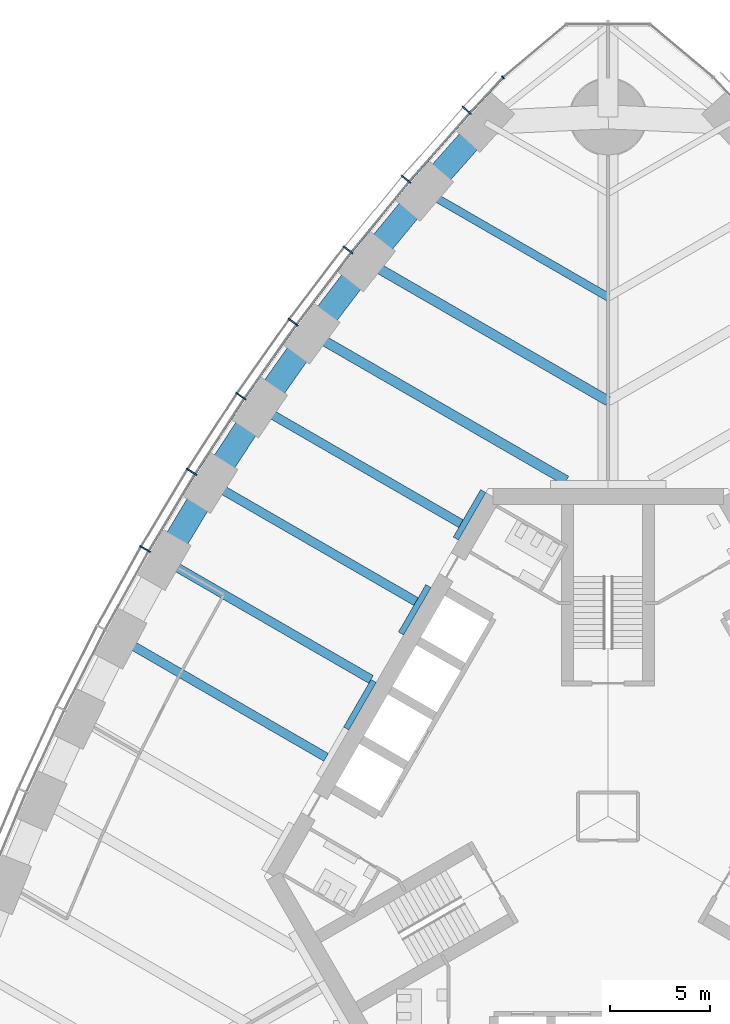
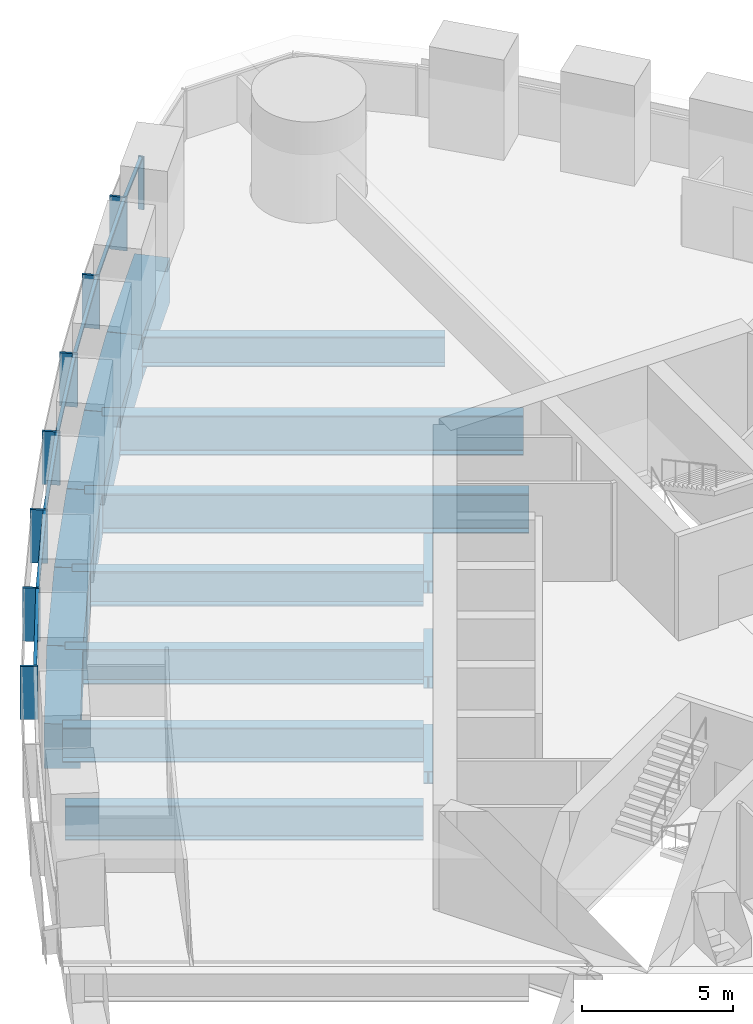
# One storey, part 4 of 18: 16 beams, 15 members, 2 elements without a shape of their own.
"""IFC4 building model written with IfcOpenShell, lengths in metres."""

import ifcopenshell
import ifcopenshell.guid

model = None  # the IFC model being written
_history = None  # IfcOwnerHistory: only IFC2X3 demands one
_inside = {}  # id of a spatial element -> (the spatial element, [elements in it])
_under = {}  # id of a project, library or spatial element -> (it, [spatial elements below it])
_declared = {}  # id of a project -> (the project, [libraries it declares])
_typed = {}  # id of a type object -> (the type object, [elements of that type])
_made_of = {}  # id of a material, layer set ... -> (it, [elements and type objects made of it])


def new_model(schema):
    """Start an empty IFC model of exactly this schema.

    Asked for "IFC4X3", IfcOpenShell would pick the latest addendum, in which some entities
    have other attributes; the version numbers below select the first issue.
    IFC2X3 requires an IfcOwnerHistory on every rooted entity: one is made here for all.
    """
    global model, _history
    if schema == "IFC4X3":
        model = ifcopenshell.file(schema_version=(4, 3, 0, 0))
    else:
        model = ifcopenshell.file(schema=schema)
    _inside.clear()
    _under.clear()
    _declared.clear()
    _typed.clear()
    _made_of.clear()
    _history = None
    if model.schema == "IFC2X3":
        org = make("IfcOrganization", Name="unknown")
        user = make(
            "IfcPersonAndOrganization",
            ThePerson=make("IfcPerson", FamilyName="unknown"),
            TheOrganization=org,
        )
        app = make(
            "IfcApplication",
            ApplicationDeveloper=org,
            Version="unknown",
            ApplicationFullName="unknown",
            ApplicationIdentifier="unknown",
        )
        _history = make(
            "IfcOwnerHistory",
            OwningUser=user,
            OwningApplication=app,
            ChangeAction="ADDED",
            CreationDate=0,
        )
    return model


def make(cls, **values):
    """One entity of the class cls with the attributes given. An attribute that is None is left unset."""
    return model.create_entity(
        cls, **{name: value for name, value in values.items() if value is not None}
    )


def rooted(cls, **values):
    """An entity with a GlobalId (a new one), such as an element, a storey or a relation."""
    return make(cls, GlobalId=ifcopenshell.guid.new(), OwnerHistory=_history, **values)


def si_unit(unit_type, name, prefix=None):
    """IfcSIUnit, for example si_unit("LENGTHUNIT", "METRE", prefix="MILLI")."""
    return make("IfcSIUnit", UnitType=unit_type, Prefix=prefix, Name=name)


def assignment(units):
    """IfcUnitAssignment: the units of a project."""
    return None if units is None else make("IfcUnitAssignment", Units=units)


def point(xyz):
    """IfcCartesianPoint."""
    return None if xyz is None else make("IfcCartesianPoint", Coordinates=xyz)


def direction(xyz):
    """IfcDirection."""
    return None if xyz is None else make("IfcDirection", DirectionRatios=xyz)


def frame(location, z_axis=None, x_axis=None):
    """IfcAxis2Placement3D, a coordinate frame: its origin and axes. An axis left out is left unset."""
    return make(
        "IfcAxis2Placement3D",
        Location=point(location),
        Axis=direction(z_axis),
        RefDirection=direction(x_axis),
    )


def frame_2d(location, x_axis=None):
    """IfcAxis2Placement2D, a coordinate frame in the plane: its origin and x axis."""
    return make(
        "IfcAxis2Placement2D", Location=point(location), RefDirection=direction(x_axis)
    )


def origin():
    """The frame at (0, 0, 0) with its axes left unset."""
    return frame((0.0, 0.0, 0.0))


def origin_2d():
    """The frame at (0, 0) in the plane with its x axis left unset."""
    return frame_2d((0.0, 0.0))


def place(relative_to, where):
    """IfcLocalPlacement: puts the frame where relative to a parent placement (None: the world)."""
    return make(
        "IfcLocalPlacement", PlacementRelTo=relative_to, RelativePlacement=where
    )


def context(
    kind, dimensions, precision=None, world=None, true_north=None, identifier=None
):
    """IfcGeometricRepresentationContext, for example the 3D "Model" context."""
    return make(
        "IfcGeometricRepresentationContext",
        ContextIdentifier=identifier,
        ContextType=kind,
        CoordinateSpaceDimension=dimensions,
        Precision=precision,
        WorldCoordinateSystem=world,
        TrueNorth=true_north,
    )


def subcontext(parent, identifier, kind, view, scale=None):
    """IfcGeometricRepresentationSubContext, for example "Body" below "Model"."""
    return make(
        "IfcGeometricRepresentationSubContext",
        ContextIdentifier=identifier,
        ContextType=kind,
        ParentContext=parent,
        TargetScale=scale,
        TargetView=view,
    )


def project(units=None, contexts=None):
    """IfcProject with its units and contexts."""
    return rooted(
        "IfcProject",
        Name="project",
        RepresentationContexts=contexts,
        UnitsInContext=assignment(units),
    )


def spatial(cls, under=None, at=None, **own):
    """A site, building, storey or space (cls), placed at a placement, below another one or the project."""
    s = rooted(cls, ObjectPlacement=at, **own)
    if under is not None:
        _under.setdefault(under.id(), (under, []))[1].append(s)
    return s


def profile(cls, at=None, kind="AREA", **sizes):
    """A parametric profile (cls). Its sizes go by their IFC names, for example OverallWidth=200.0."""
    return make(cls, ProfileType=kind, Position=at, **sizes)


def rectangle(**sizes):
    """IfcRectangleProfileDef."""
    return profile("IfcRectangleProfileDef", **sizes)


def i_section(**sizes):
    """IfcIShapeProfileDef."""
    return profile("IfcIShapeProfileDef", **sizes)


def extrude(swept, where, along, depth):
    """IfcExtrudedAreaSolid: the profile swept, set in the frame where, extruded along a direction by depth."""
    return make(
        "IfcExtrudedAreaSolid",
        SweptArea=swept,
        Position=where,
        ExtrudedDirection=direction(along),
        Depth=depth,
    )


def shape(context_of_items, identifier, shape_type, items):
    """IfcShapeRepresentation: the items that make up one representation, for example the "Body"."""
    return make(
        "IfcShapeRepresentation",
        ContextOfItems=context_of_items,
        RepresentationIdentifier=identifier,
        RepresentationType=shape_type,
        Items=items,
    )


def material(Name=None, Category=None):
    """IfcMaterial."""
    return make("IfcMaterial", Name=Name, Category=Category)


def material_profile(
    of_material, cross_section, Name=None, Category=None, Priority=None
):
    """IfcMaterialProfile: a cross section and its material."""
    return make(
        "IfcMaterialProfile",
        Name=Name,
        Material=of_material,
        Profile=cross_section,
        Priority=Priority,
        Category=Category,
    )


def profile_set(profiles, Name=None, composite=None):
    """IfcMaterialProfileSet."""
    return make(
        "IfcMaterialProfileSet",
        Name=Name,
        MaterialProfiles=profiles,
        CompositeProfile=composite,
    )


def made_of(thing, what):
    """Note that an element or type object is made of a material, layer set ...; save() writes the relation."""
    if what is not None:
        _made_of.setdefault(what.id(), (what, []))[1].append(thing)
    return thing


def type_object(cls, material=None, **own):
    """A type object (cls), such as IfcWallType, which elements share."""
    return made_of(rooted(cls, **own), material)


def element(
    cls,
    number,
    at=None,
    inside=None,
    cuts=None,
    type_object=None,
    material=None,
    context=None,
    identifier="Body",
    shape_type=None,
    held_by="IfcProductDefinitionShape",
    body=None,
    shapes=None,
    **own,
):
    """One element of the class cls, such as IfcWall. Its Tag is "e" and its number.

    at: its placement. inside: the storey or other place that contains it. cuts: it is an
    opening in that element (IfcRelVoidsElement). A single representation is given by context,
    identifier, shape_type and body (its items); several are given by shapes. held_by: the class
    of the entity that holds the representations. save() writes the other relations.
    """
    e = rooted(cls, Tag="e%d" % number, ObjectPlacement=at, **own)
    if body is not None:
        shapes = [shape(context, identifier, shape_type, body)]
    if shapes is not None:
        e.Representation = make(held_by, Representations=shapes)
    if inside is not None:
        _inside.setdefault(inside.id(), (inside, []))[1].append(e)
    if cuts is not None:
        rooted(
            "IfcRelVoidsElement", RelatingBuildingElement=cuts, RelatedOpeningElement=e
        )
    if type_object is not None:
        _typed.setdefault(type_object.id(), (type_object, []))[1].append(e)
    return made_of(e, material)


def aggregate(whole, parts):
    """IfcRelAggregates: a whole, such as a stair, and the parts it consists of."""
    return rooted("IfcRelAggregates", RelatingObject=whole, RelatedObjects=parts)


def save(model, path):
    """Write the relations noted so far, then the file.

    IfcRelAggregates (storeys below a building ...), IfcRelContainedInSpatialStructure (elements
    in a storey), IfcRelDefinesByType, IfcRelAssociatesMaterial and IfcRelDeclares: one each for
    every whole, place, type object, material and project.
    """
    for whole, parts in _under.values():
        aggregate(whole, parts)
    for where, things in _inside.values():
        rooted(
            "IfcRelContainedInSpatialStructure",
            RelatedElements=things,
            RelatingStructure=where,
        )
    for kind, things in _typed.values():
        rooted("IfcRelDefinesByType", RelatedObjects=things, RelatingType=kind)
    for what, things in _made_of.values():
        rooted("IfcRelAssociatesMaterial", RelatedObjects=things, RelatingMaterial=what)
    for by, libraries in _declared.values():
        rooted("IfcRelDeclares", RelatingContext=by, RelatedDefinitions=libraries)
    model.write(path)


model = new_model("IFC4")

# Units and contexts
model_context = context("Model", 3, precision=1e-05, world=origin(), true_north=direction((0.0, 1.0)))
body_context = subcontext(model_context, "Body", "Model", "MODEL_VIEW")
ifc_project = project(units=[si_unit("LENGTHUNIT", "METRE"), si_unit("AREAUNIT", "SQUARE_METRE"), si_unit("VOLUMEUNIT", "CUBIC_METRE"), si_unit("PLANEANGLEUNIT", "RADIAN"), si_unit("MASSUNIT", "GRAM", prefix="KILO")], contexts=[model_context])

# Site, building, storey
site_placement = place(None, origin())
site = spatial("IfcSite", under=ifc_project, at=site_placement, CompositionType="ELEMENT")
building_placement = place(site_placement, origin())
building = spatial("IfcBuilding", under=site, at=building_placement, Name="Trefoil Bronze Tower", CompositionType="ELEMENT")
storey_placement = place(building_placement, frame((0.0, 0.0, 174.5)))
storey = spatial("IfcBuildingStorey", under=building, at=storey_placement, Name="L40", CompositionType="ELEMENT", Elevation=174.5)

# Curtain wall, members
ifc_material_1 = material(Name="Tinted solar-control glass", Category="glass")
curtain_wall_type_1 = type_object("IfcCurtainWallType", Name="Bronze office curtain wall", PredefinedType="USERDEFINED", material=ifc_material_1)
curtain_wall_1_placement = place(storey_placement, origin())
curtain_wall_1 = element("IfcCurtainWall", 1, at=curtain_wall_1_placement, inside=storey, type_object=curtain_wall_type_1, Name="CW-A L40 F3", ObjectType="CURTAIN WALL", PredefinedType="USERDEFINED")
ifc_material_2 = material(Name="Bronze-finish aluminium", Category="aluminium")
ifc_material_profile_1 = material_profile(ifc_material_2, rectangle(XDim=0.60009765625, YDim=0.080078125, at=origin_2d()), Name="CW-A mullion")
ifc_profile_set_1 = profile_set([ifc_material_profile_1], Name="Bronze-finish aluminium")
member_type_1 = type_object("IfcMemberType", Name="Bronze office curtain wall mullion", PredefinedType="MULLION", material=ifc_profile_set_1)
member_1_placement = place(storey_placement, frame((-7.070068359375, 35.332275390625, 0.0), z_axis=(0.0, 0.0, 1.0), x_axis=(0.740360700327, -0.672209813534, 0.0)))
member_1 = element("IfcMember", 2, at=member_1_placement, type_object=member_type_1, Name="CW-A L40 F3 mullion 2", PredefinedType="MULLION", context=body_context, shape_type="SweptSolid", body=[
    extrude(rectangle(XDim=0.60009765625, YDim=0.080078125, at=origin_2d()), origin(), (0.0, 0.0, 1.0), 2.14990234375),
])
member_2_placement = place(storey_placement, frame((-10.11474609375, 31.8828125, 0.0), z_axis=(0.0, 0.0, 1.0), x_axis=(0.761721651066, -0.647904411389, 0.0)))
member_2 = element("IfcMember", 3, at=member_2_placement, type_object=member_type_1, Name="CW-A L40 F3 mullion 3", PredefinedType="MULLION", context=body_context, shape_type="SweptSolid", body=[
    extrude(rectangle(XDim=0.60009765625, YDim=0.080078125, at=origin_2d()), origin(), (0.0, 0.0, 1.0), 2.14990234375),
])
member_3_placement = place(storey_placement, frame((-13.01220703125, 28.34716796875, 0.0), z_axis=(0.0, 0.0, 1.0), x_axis=(0.78487913905, -0.619648882098, 0.0)))
member_3 = element("IfcMember", 4, at=member_3_placement, type_object=member_type_1, Name="CW-A L40 F3 mullion 4", PredefinedType="MULLION", context=body_context, shape_type="SweptSolid", body=[
    extrude(rectangle(XDim=0.60009765625, YDim=0.080078125, at=origin_2d()), origin(), (0.0, 0.0, 1.0), 2.14990234375),
])
member_4_placement = place(storey_placement, frame((-15.764404296875, 24.7275390625, 0.0), z_axis=(0.0, 0.0, 1.0), x_axis=(0.806874522901, -0.590722865897, 0.0)))
member_4 = element("IfcMember", 5, at=member_4_placement, type_object=member_type_1, Name="CW-A L40 F3 mullion 5", PredefinedType="MULLION", context=body_context, shape_type="SweptSolid", body=[
    extrude(rectangle(XDim=0.60009765625, YDim=0.080078125, at=origin_2d()), origin(), (0.0, 0.0, 1.0), 2.14990234375),
])
member_5_placement = place(storey_placement, frame((-18.373046875, 21.025146484375, 0.0), z_axis=(0.0, 0.0, 1.0), x_axis=(0.827723925749, -0.561135547566, 0.0)))
member_5 = element("IfcMember", 6, at=member_5_placement, type_object=member_type_1, Name="CW-A L40 F3 mullion 6", PredefinedType="MULLION", context=body_context, shape_type="SweptSolid", body=[
    extrude(rectangle(XDim=0.60009765625, YDim=0.080078125, at=origin_2d()), origin(), (0.0, 0.0, 1.0), 2.14990234375),
])
member_6_placement = place(storey_placement, frame((-20.840087890625, 17.24072265625, 0.0), z_axis=(0.0, 0.0, 1.0), x_axis=(0.84743864936, -0.530893337283, 0.0)))
member_6 = element("IfcMember", 7, at=member_6_placement, type_object=member_type_1, Name="CW-A L40 F3 mullion 7", PredefinedType="MULLION", context=body_context, shape_type="SweptSolid", body=[
    extrude(rectangle(XDim=0.60009765625, YDim=0.080078125, at=origin_2d()), origin(), (0.0, 0.0, 1.0), 2.14990234375),
])
member_7_placement = place(storey_placement, frame((-23.166015625, 13.374755859375, 0.0), z_axis=(0.0, 0.0, 1.0), x_axis=(0.866025403784, -0.5, 0.0)))
member_7 = element("IfcMember", 8, at=member_7_placement, type_object=member_type_1, Name="CW-A L40 F3 mullion 8", PredefinedType="MULLION", context=body_context, shape_type="SweptSolid", body=[
    extrude(rectangle(XDim=0.60009765625, YDim=0.080078125, at=origin_2d()), origin(), (0.0, 0.0, 1.0), 2.14990234375),
])
ifc_material_3 = material(Name="Bronze-finish aluminium", Category="aluminium")
ifc_material_profile_2 = material_profile(ifc_material_3, rectangle(XDim=0.1201171875, YDim=0.10009765625, at=origin_2d()), Name="CW-A transom")
ifc_profile_set_2 = profile_set([ifc_material_profile_2], Name="Bronze-finish aluminium")
member_type_2 = type_object("IfcMemberType", Name="Bronze office curtain wall transom", PredefinedType="USERDEFINED", material=ifc_profile_set_2)
member_8_placement = place(storey_placement, frame((-5.296630859375, 36.9384765625, 2.10009765625), z_axis=(-0.682489214428, -0.730895664366, 0.0), x_axis=(0.730895664366, -0.682489214428, 0.0)))
member_8 = element("IfcMember", 9, at=member_8_placement, type_object=member_type_2, Name="CW-A L40 F3 transom 1", ObjectType="TRANSOM", PredefinedType="USERDEFINED", context=body_context, shape_type="SweptSolid", body=[
    extrude(rectangle(XDim=0.1201171875, YDim=0.10009765625, at=origin_2d()), origin(), (0.0, 0.0, 1.0), 2.340087890625),
])
member_9_placement = place(storey_placement, frame((-6.949462890625, 35.166748046875, 2.10009765625), z_axis=(-0.66173618877, -0.749736764786, 0.0), x_axis=(0.749736764786, -0.66173618877, 0.0)))
member_9 = element("IfcMember", 10, at=member_9_placement, type_object=member_type_2, Name="CW-A L40 F3 transom 2", ObjectType="TRANSOM", PredefinedType="USERDEFINED", context=body_context, shape_type="SweptSolid", body=[
    extrude(rectangle(XDim=0.1201171875, YDim=0.10009765625, at=origin_2d()), origin(), (0.0, 0.0, 1.0), 4.510986328125),
])
member_10_placement = place(storey_placement, frame((-9.98876953125, 31.720947265625, 2.10009765625), z_axis=(-0.633848872297, -0.773456919995, 0.0), x_axis=(0.773456919995, -0.633848872297, 0.0)))
member_10 = element("IfcMember", 11, at=member_10_placement, type_object=member_type_2, Name="CW-A L40 F3 transom 3", ObjectType="TRANSOM", PredefinedType="USERDEFINED", context=body_context, shape_type="SweptSolid", body=[
    extrude(rectangle(XDim=0.1201171875, YDim=0.10009765625, at=origin_2d()), origin(), (0.0, 0.0, 1.0), 4.480224609375),
])
member_11_placement = place(storey_placement, frame((-12.880615234375, 28.18994140625, 2.10009765625), z_axis=(-0.605229114572, -0.796051329296, 0.0), x_axis=(0.796051329296, -0.605229114572, 0.0)))
member_11 = element("IfcMember", 12, at=member_11_placement, type_object=member_type_2, Name="CW-A L40 F3 transom 4", ObjectType="TRANSOM", PredefinedType="USERDEFINED", context=body_context, shape_type="SweptSolid", body=[
    extrude(rectangle(XDim=0.1201171875, YDim=0.10009765625, at=origin_2d()), origin(), (0.0, 0.0, 1.0), 4.456298828125),
])
member_12_placement = place(storey_placement, frame((-15.626953125, 24.5751953125, 2.10009765625), z_axis=(-0.576017858824, -0.817437108478, 0.0), x_axis=(0.817437108478, -0.576017858824, 0.0)))
member_12 = element("IfcMember", 13, at=member_12_placement, type_object=member_type_2, Name="CW-A L40 F3 transom 5", ObjectType="TRANSOM", PredefinedType="USERDEFINED", context=body_context, shape_type="SweptSolid", body=[
    extrude(rectangle(XDim=0.1201171875, YDim=0.10009765625, at=origin_2d()), origin(), (0.0, 0.0, 1.0), 4.4384765625),
])
member_13_placement = place(storey_placement, frame((-18.23046875, 20.877685546875, 2.10009765625), z_axis=(-0.546079336226, -0.837733465099, 0.0), x_axis=(0.837733465099, -0.546079336226, 0.0)))
member_13 = element("IfcMember", 14, at=member_13_placement, type_object=member_type_2, Name="CW-A L40 F3 transom 6", ObjectType="TRANSOM", PredefinedType="USERDEFINED", context=body_context, shape_type="SweptSolid", body=[
    extrude(rectangle(XDim=0.1201171875, YDim=0.10009765625, at=origin_2d()), origin(), (0.0, 0.0, 1.0), 4.426513671875),
])
member_14_placement = place(storey_placement, frame((-20.692138671875, 17.0986328125, 2.10009765625), z_axis=(-0.515526794174, -0.856873458854, 0.0), x_axis=(0.856873458854, -0.515526794174, 0.0)))
member_14 = element("IfcMember", 15, at=member_14_placement, type_object=member_type_2, Name="CW-A L40 F3 transom 7", ObjectType="TRANSOM", PredefinedType="USERDEFINED", context=body_context, shape_type="SweptSolid", body=[
    extrude(rectangle(XDim=0.1201171875, YDim=0.10009765625, at=origin_2d()), origin(), (0.0, 0.0, 1.0), 4.4208984375),
])
aggregate(curtain_wall_1, [member_1, member_2, member_3, member_4, member_5, member_6, member_7, member_8, member_9, member_10, member_11, member_12, member_13, member_14])

# Curtain wall, member
ifc_material_4 = material(Name="Tinted solar-control glass", Category="glass")
curtain_wall_type_2 = type_object("IfcCurtainWallType", Name="Bronze rounded corner curtain wall", PredefinedType="USERDEFINED", material=ifc_material_4)
curtain_wall_2_placement = place(storey_placement, origin())
curtain_wall_2 = element("IfcCurtainWall", 16, at=curtain_wall_2_placement, inside=storey, type_object=curtain_wall_type_2, Name="CW-B L40 K2", ObjectType="CURTAIN WALL", PredefinedType="USERDEFINED")
ifc_material_5 = material(Name="Bronze-finish aluminium", Category="aluminium")
ifc_material_profile_3 = material_profile(ifc_material_5, rectangle(XDim=0.199951171875, YDim=0.06005859375, at=origin_2d()), Name="CW-B mullion")
ifc_profile_set_3 = profile_set([ifc_material_profile_3], Name="Bronze-finish aluminium")
member_type_3 = type_object("IfcMemberType", Name="Bronze rounded corner curtain wall mullion", PredefinedType="MULLION", material=ifc_profile_set_3)
member_15_placement = place(storey_placement, frame((-5.260498046875, 36.975830078125, 0.0), z_axis=(0.0, 0.0, 1.0), x_axis=(0.642787609687, -0.766044443119, 0.0)))
member_15 = element("IfcMember", 17, at=member_15_placement, type_object=member_type_3, Name="CW-B L40 K2 mullion 4", PredefinedType="MULLION", context=body_context, shape_type="SweptSolid", body=[
    extrude(rectangle(XDim=0.199951171875, YDim=0.06005859375, at=origin_2d()), origin(), (0.0, 0.0, 1.0), 2.14990234375),
])
aggregate(curtain_wall_2, [member_15])

# Beams
ifc_material_6 = material(Name="Steel C355", Category="steel")
ifc_material_profile_4 = material_profile(ifc_material_6, i_section(OverallWidth=0.300048828125, OverallDepth=0.5, WebThickness=0.014404296875, FlangeThickness=0.028076171875, FilletRadius=0.027099609375, at=origin_2d()), Name="HEB 500")
ifc_profile_set_4 = profile_set([ifc_material_profile_4], Name="Steel C355")
beam_type_1 = type_object("IfcBeamType", Name="Core seat beam HEB 500", PredefinedType="BEAM", material=ifc_profile_set_4)
for number, where, z_axis, x_axis, name in (
    (18, (-6.249755859375, 16.27490234375, -0.449951171875), (-0.500035825175, -0.866004719122, 0.0), (0.866004719122, -0.500035825175, 0.0), "Core seat beam F3/-2 L40"),
    (19, (-8.9921875, 11.52490234375, -0.449951171875), (-0.500035825175, -0.866004719122, 0.0), (0.866004719122, -0.500035825175, 0.0), "Core seat beam F3/-1 L40"),
    (20, (-11.734619140625, 6.77490234375, -0.449951171875), (-0.500035825175, -0.866004719122, 0.0), (0.866004719122, -0.500035825175, 0.0), "Core seat beam F3/+0 L40"),
):
    element("IfcBeam", number, at=place(storey_placement, frame(where, z_axis=z_axis, x_axis=x_axis)), inside=storey, type_object=beam_type_1, Name=name, PredefinedType="BEAM", context=body_context, shape_type="SweptSolid", body=[
        extrude(i_section(OverallWidth=0.300048828125, OverallDepth=0.5, WebThickness=0.014404296875, FlangeThickness=0.028076171875, FilletRadius=0.027099609375, at=origin_2d()), origin(), (0.0, 0.0, 1.0), 2.742431640625),
    ])
ifc_material_7 = material(Name="Steel C355", Category="steel")
ifc_material_profile_5 = material_profile(ifc_material_7, i_section(OverallWidth=0.39990234375, OverallDepth=1.199951171875, WebThickness=0.02001953125, FlangeThickness=0.0400390625, FilletRadius=0.010009765625, at=origin_2d()), Name="WPG 1200")
ifc_profile_set_5 = profile_set([ifc_material_profile_5], Name="Steel C355")
beam_type_2 = type_object("IfcBeamType", Name="Floor beam WPG 1200", PredefinedType="BEAM", material=ifc_profile_set_5)
beam_1_placement = place(storey_placement, frame((-9.181884765625, 31.281982421875, -0.800048828125), z_axis=(0.866021079084, -0.500007490527, 0.0), x_axis=(0.500007490527, 0.866021079084, 0.0)))
element("IfcBeam", 21, at=beam_1_placement, inside=storey, type_object=beam_type_2, Name="Floor beam F3/-5 L40", PredefinedType="BEAM", context=body_context, shape_type="SweptSolid", body=[
    extrude(i_section(OverallWidth=0.39990234375, OverallDepth=1.199951171875, WebThickness=0.02001953125, FlangeThickness=0.0400390625, FilletRadius=0.010009765625, at=origin_2d()), origin(), (0.0, 0.0, 1.0), 10.602294921875),
])
ifc_material_8 = material(Name="Steel C355", Category="steel")
ifc_material_profile_6 = material_profile(ifc_material_8, i_section(OverallWidth=0.449951171875, OverallDepth=1.39990234375, WebThickness=0.02294921875, FlangeThickness=0.044921875, FilletRadius=0.011962890625, at=origin_2d()), Name="WPG 1400")
ifc_profile_set_6 = profile_set([ifc_material_profile_6], Name="Steel C355")
beam_type_3 = type_object("IfcBeamType", Name="Floor beam WPG 1400", PredefinedType="BEAM", material=ifc_profile_set_6)
beam_2_placement = place(storey_placement, frame((-17.43017578125, 20.45556640625, -0.89990234375), z_axis=(0.866030626868, -0.499990953245, 0.0), x_axis=(0.499990953245, 0.866030626868, 0.0)))
element("IfcBeam", 22, at=beam_2_placement, inside=storey, type_object=beam_type_3, Name="Floor beam F3/-2 L40", PredefinedType="BEAM", context=body_context, shape_type="SweptSolid", body=[
    extrude(i_section(OverallWidth=0.449951171875, OverallDepth=1.39990234375, WebThickness=0.02294921875, FlangeThickness=0.044921875, FilletRadius=0.011962890625, at=origin_2d()), origin(), (0.0, 0.0, 1.0), 11.622802734375),
])
beam_3_placement = place(storey_placement, frame((-19.892578125, 16.68115234375, -0.89990234375), z_axis=(0.866024236736, -0.500002021381, 0.0), x_axis=(0.500002021381, 0.866024236736, 0.0)))
element("IfcBeam", 23, at=beam_3_placement, inside=storey, type_object=beam_type_3, Name="Floor beam F3/-1 L40", PredefinedType="BEAM", context=body_context, shape_type="SweptSolid", body=[
    extrude(i_section(OverallWidth=0.449951171875, OverallDepth=1.39990234375, WebThickness=0.02294921875, FlangeThickness=0.044921875, FilletRadius=0.011962890625, at=origin_2d()), origin(), (0.0, 0.0, 1.0), 11.8681640625),
])
beam_4_placement = place(storey_placement, frame((-22.21337890625, 12.824951171875, -0.89990234375), z_axis=(0.866028062731, -0.499995394541, 0.0), x_axis=(0.499995394541, 0.866028062731, 0.0)))
element("IfcBeam", 24, at=beam_4_placement, inside=storey, type_object=beam_type_3, Name="Floor beam F3/+0 L40", PredefinedType="BEAM", context=body_context, shape_type="SweptSolid", body=[
    extrude(i_section(OverallWidth=0.449951171875, OverallDepth=1.39990234375, WebThickness=0.02294921875, FlangeThickness=0.044921875, FilletRadius=0.011962890625, at=origin_2d()), origin(), (0.0, 0.0, 1.0), 11.94970703125),
])
beam_5_placement = place(storey_placement, frame((-24.392578125, 8.886962890625, -0.89990234375), z_axis=(0.866024236736, -0.500002021381, 0.0), x_axis=(0.500002021381, 0.866024236736, 0.0)))
element("IfcBeam", 25, at=beam_5_placement, inside=storey, type_object=beam_type_3, Name="Floor beam F3/+1 L40", PredefinedType="BEAM", context=body_context, shape_type="SweptSolid", body=[
    extrude(i_section(OverallWidth=0.449951171875, OverallDepth=1.39990234375, WebThickness=0.02294921875, FlangeThickness=0.044921875, FilletRadius=0.011962890625, at=origin_2d()), origin(), (0.0, 0.0, 1.0), 11.8681640625),
])
ifc_material_9 = material(Name="Steel C355", Category="steel")
ifc_material_profile_7 = material_profile(ifc_material_9, i_section(OverallWidth=0.5, OverallDepth=1.60009765625, WebThickness=0.02587890625, FlangeThickness=0.050048828125, FilletRadius=0.011962890625, at=origin_2d()), Name="WPG 1600")
ifc_profile_set_7 = profile_set([ifc_material_profile_7], Name="Steel C355")
beam_type_4 = type_object("IfcBeamType", Name="Floor beam WPG 1600", PredefinedType="BEAM", material=ifc_profile_set_7)
beam_6_placement = place(storey_placement, frame((-12.07666015625, 27.757080078125, -1.0), z_axis=(0.866026983775, -0.499997263366, 0.0), x_axis=(0.499997263366, 0.866026983775, 0.0)))
element("IfcBeam", 26, at=beam_6_placement, inside=storey, type_object=beam_type_4, Name="Floor beam F3/-4 L40", PredefinedType="BEAM", context=body_context, shape_type="SweptSolid", body=[
    extrude(i_section(OverallWidth=0.5, OverallDepth=1.60009765625, WebThickness=0.02587890625, FlangeThickness=0.050048828125, FilletRadius=0.011962890625, at=origin_2d()), origin(), (0.0, 0.0, 1.0), 13.94482421875),
])
beam_7_placement = place(storey_placement, frame((-14.825439453125, 24.14794921875, -1.0), z_axis=(0.866027342682, -0.499996641717, 0.0), x_axis=(0.499996641717, 0.866027342682, 0.0)))
element("IfcBeam", 27, at=beam_7_placement, inside=storey, type_object=beam_type_4, Name="Floor beam F3/-3 L40", PredefinedType="BEAM", context=body_context, shape_type="SweptSolid", body=[
    extrude(i_section(OverallWidth=0.5, OverallDepth=1.60009765625, WebThickness=0.02587890625, FlangeThickness=0.050048828125, FilletRadius=0.011962890625, at=origin_2d()), origin(), (0.0, 0.0, 1.0), 14.69580078125),
])
ifc_material_10 = material(Name="Concrete B80", Category="concrete")
ifc_material_profile_8 = material_profile(ifc_material_10, rectangle(XDim=1.199951171875, YDim=1.800048828125, at=origin_2d()), Name="RC 1200x1800")
ifc_profile_set_8 = profile_set([ifc_material_profile_8], Name="Concrete B80")
beam_type_5 = type_object("IfcBeamType", Name="Spandrel beam RC 1200x1800", PredefinedType="SPANDREL", material=ifc_profile_set_8)
beam_8_placement = place(storey_placement, frame((-6.13916015625, 34.72119140625, -1.10009765625), z_axis=(-0.662616326239, -0.748959013699, 0.0), x_axis=(0.748959013699, -0.662616326239, 0.0)))
element("IfcBeam", 28, at=beam_8_placement, inside=storey, type_object=beam_type_5, Name="Spandrel F3.2 L40", PredefinedType="SPANDREL", context=body_context, shape_type="SweptSolid", body=[
    extrude(rectangle(XDim=1.199951171875, YDim=1.800048828125, at=origin_2d()), origin(), (0.0, 0.0, 1.0), 4.592041015625),
])
beam_9_placement = place(storey_placement, frame((-9.181884765625, 31.281982421875, -1.10009765625), z_axis=(-0.634650386838, -0.772799383079, 0.0), x_axis=(0.772799383079, -0.634650386838, 0.0)))
element("IfcBeam", 29, at=beam_9_placement, inside=storey, type_object=beam_type_5, Name="Spandrel F3.3 L40", PredefinedType="SPANDREL", context=body_context, shape_type="SweptSolid", body=[
    extrude(rectangle(XDim=1.199951171875, YDim=1.800048828125, at=origin_2d()), origin(), (0.0, 0.0, 1.0), 4.561279296875),
])
beam_10_placement = place(storey_placement, frame((-12.07666015625, 27.757080078125, -1.10009765625), z_axis=(-0.605898901788, -0.795541652468, 0.0), x_axis=(0.795541652468, -0.605898901788, 0.0)))
element("IfcBeam", 30, at=beam_10_placement, inside=storey, type_object=beam_type_5, Name="Spandrel F3.4 L40", PredefinedType="SPANDREL", context=body_context, shape_type="SweptSolid", body=[
    extrude(rectangle(XDim=1.199951171875, YDim=1.800048828125, at=origin_2d()), origin(), (0.0, 0.0, 1.0), 4.53662109375),
])
beam_11_placement = place(storey_placement, frame((-14.825439453125, 24.14794921875, -1.10009765625), z_axis=(-0.576439228712, -0.81714002203, 0.0), x_axis=(0.81714002203, -0.576439228712, 0.0)))
element("IfcBeam", 31, at=beam_11_placement, inside=storey, type_object=beam_type_5, Name="Spandrel F3.5 L40", PredefinedType="SPANDREL", context=body_context, shape_type="SweptSolid", body=[
    extrude(rectangle(XDim=1.199951171875, YDim=1.800048828125, at=origin_2d()), origin(), (0.0, 0.0, 1.0), 4.5185546875),
])
beam_12_placement = place(storey_placement, frame((-17.43017578125, 20.45556640625, -1.10009765625), z_axis=(-0.546396670296, -0.83752652417, 0.0), x_axis=(0.83752652417, -0.546396670296, 0.0)))
element("IfcBeam", 32, at=beam_12_placement, inside=storey, type_object=beam_type_5, Name="Spandrel F3.6 L40", PredefinedType="SPANDREL", context=body_context, shape_type="SweptSolid", body=[
    extrude(rectangle(XDim=1.199951171875, YDim=1.800048828125, at=origin_2d()), origin(), (0.0, 0.0, 1.0), 4.506591796875),
])
beam_13_placement = place(storey_placement, frame((-19.892578125, 16.68115234375, -1.10009765625), z_axis=(-0.515651979972, -0.856798129988, 0.0), x_axis=(0.856798129988, -0.515651979972, 0.0)))
element("IfcBeam", 33, at=beam_13_placement, inside=storey, type_object=beam_type_5, Name="Spandrel F3.7 L40", PredefinedType="SPANDREL", context=body_context, shape_type="SweptSolid", body=[
    extrude(rectangle(XDim=1.199951171875, YDim=1.800048828125, at=origin_2d()), origin(), (0.0, 0.0, 1.0), 4.500732421875),
])

save(model, "model.ifc")
